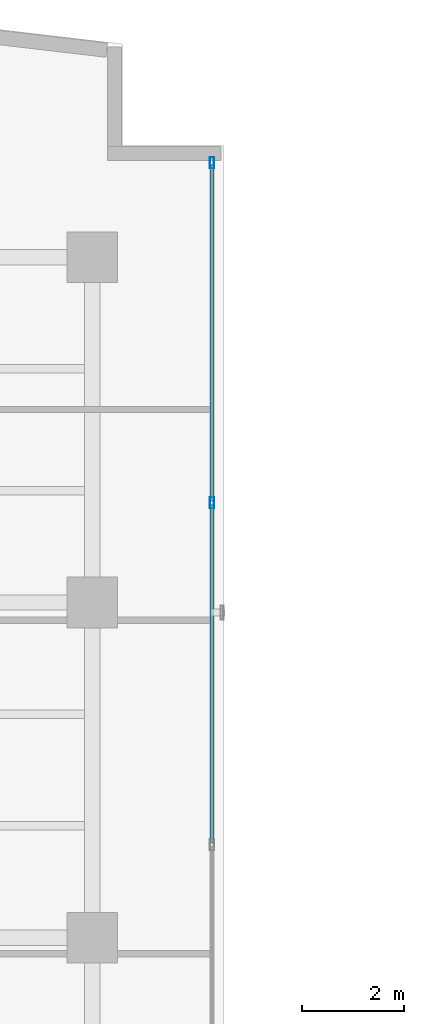
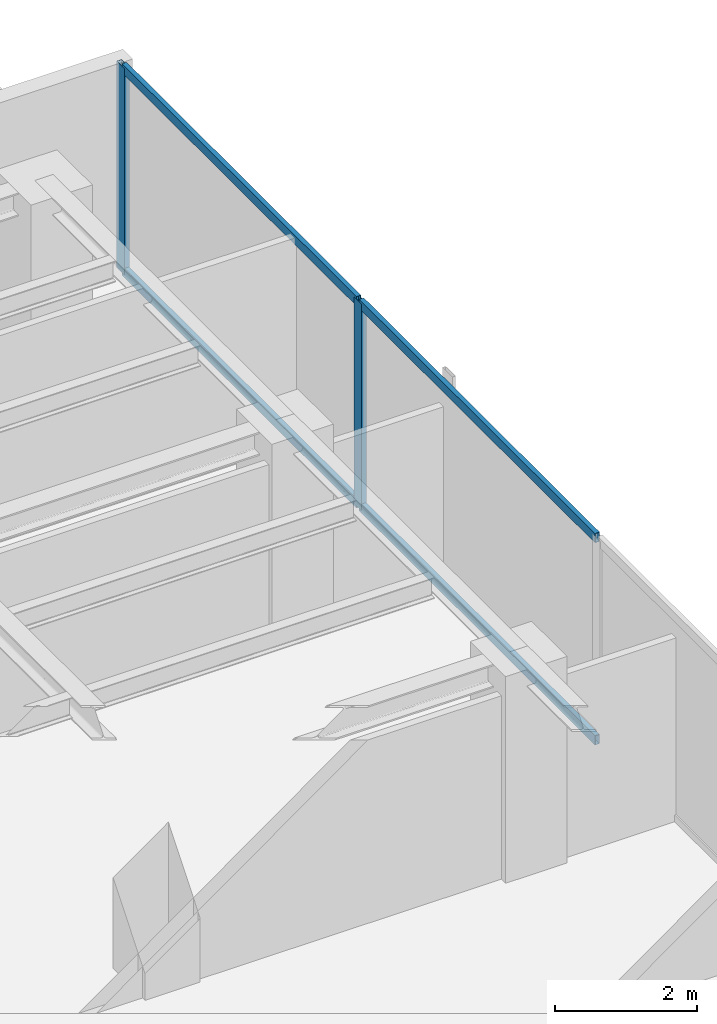
# One storey, part 15 of 23: 6 members, 1 element without a shape of its own.
"""IFC4 building model written with IfcOpenShell, lengths in metres."""

import ifcopenshell
import ifcopenshell.guid

model = None  # the IFC model being written
_history = None  # IfcOwnerHistory: only IFC2X3 demands one
_inside = {}  # id of a spatial element -> (the spatial element, [elements in it])
_under = {}  # id of a project, library or spatial element -> (it, [spatial elements below it])
_declared = {}  # id of a project -> (the project, [libraries it declares])
_typed = {}  # id of a type object -> (the type object, [elements of that type])
_made_of = {}  # id of a material, layer set ... -> (it, [elements and type objects made of it])


def new_model(schema):
    """Start an empty IFC model of exactly this schema.

    Asked for "IFC4X3", IfcOpenShell would pick the latest addendum, in which some entities
    have other attributes; the version numbers below select the first issue.
    IFC2X3 requires an IfcOwnerHistory on every rooted entity: one is made here for all.
    """
    global model, _history
    if schema == "IFC4X3":
        model = ifcopenshell.file(schema_version=(4, 3, 0, 0))
    else:
        model = ifcopenshell.file(schema=schema)
    _inside.clear()
    _under.clear()
    _declared.clear()
    _typed.clear()
    _made_of.clear()
    _history = None
    if model.schema == "IFC2X3":
        org = make("IfcOrganization", Name="unknown")
        user = make(
            "IfcPersonAndOrganization",
            ThePerson=make("IfcPerson", FamilyName="unknown"),
            TheOrganization=org,
        )
        app = make(
            "IfcApplication",
            ApplicationDeveloper=org,
            Version="unknown",
            ApplicationFullName="unknown",
            ApplicationIdentifier="unknown",
        )
        _history = make(
            "IfcOwnerHistory",
            OwningUser=user,
            OwningApplication=app,
            ChangeAction="ADDED",
            CreationDate=0,
        )
    return model


def make(cls, **values):
    """One entity of the class cls with the attributes given. An attribute that is None is left unset."""
    return model.create_entity(
        cls, **{name: value for name, value in values.items() if value is not None}
    )


def rooted(cls, **values):
    """An entity with a GlobalId (a new one), such as an element, a storey or a relation."""
    return make(cls, GlobalId=ifcopenshell.guid.new(), OwnerHistory=_history, **values)


def si_unit(unit_type, name, prefix=None):
    """IfcSIUnit, for example si_unit("LENGTHUNIT", "METRE", prefix="MILLI")."""
    return make("IfcSIUnit", UnitType=unit_type, Prefix=prefix, Name=name)


def assignment(units):
    """IfcUnitAssignment: the units of a project."""
    return None if units is None else make("IfcUnitAssignment", Units=units)


def point(xyz):
    """IfcCartesianPoint."""
    return None if xyz is None else make("IfcCartesianPoint", Coordinates=xyz)


def direction(xyz):
    """IfcDirection."""
    return None if xyz is None else make("IfcDirection", DirectionRatios=xyz)


def frame(location, z_axis=None, x_axis=None):
    """IfcAxis2Placement3D, a coordinate frame: its origin and axes. An axis left out is left unset."""
    return make(
        "IfcAxis2Placement3D",
        Location=point(location),
        Axis=direction(z_axis),
        RefDirection=direction(x_axis),
    )


def frame_2d(location, x_axis=None):
    """IfcAxis2Placement2D, a coordinate frame in the plane: its origin and x axis."""
    return make(
        "IfcAxis2Placement2D", Location=point(location), RefDirection=direction(x_axis)
    )


def origin():
    """The frame at (0, 0, 0) with its axes left unset."""
    return frame((0.0, 0.0, 0.0))


def origin_with_axes():
    """The frame at (0, 0, 0) with the z axis (0, 0, 1) and the x axis (1, 0, 0) written out."""
    return frame((0.0, 0.0, 0.0), z_axis=(0.0, 0.0, 1.0), x_axis=(1.0, 0.0, 0.0))


def origin_2d():
    """The frame at (0, 0) in the plane with its x axis left unset."""
    return frame_2d((0.0, 0.0))


def place(relative_to, where):
    """IfcLocalPlacement: puts the frame where relative to a parent placement (None: the world)."""
    return make(
        "IfcLocalPlacement", PlacementRelTo=relative_to, RelativePlacement=where
    )


def context(
    kind, dimensions, precision=None, world=None, true_north=None, identifier=None
):
    """IfcGeometricRepresentationContext, for example the 3D "Model" context."""
    return make(
        "IfcGeometricRepresentationContext",
        ContextIdentifier=identifier,
        ContextType=kind,
        CoordinateSpaceDimension=dimensions,
        Precision=precision,
        WorldCoordinateSystem=world,
        TrueNorth=true_north,
    )


def subcontext(parent, identifier, kind, view, scale=None):
    """IfcGeometricRepresentationSubContext, for example "Body" below "Model"."""
    return make(
        "IfcGeometricRepresentationSubContext",
        ContextIdentifier=identifier,
        ContextType=kind,
        ParentContext=parent,
        TargetScale=scale,
        TargetView=view,
    )


def project(units=None, contexts=None):
    """IfcProject with its units and contexts."""
    return rooted(
        "IfcProject",
        Name="project",
        RepresentationContexts=contexts,
        UnitsInContext=assignment(units),
    )


def spatial(cls, under=None, at=None, **own):
    """A site, building, storey or space (cls), placed at a placement, below another one or the project."""
    s = rooted(cls, ObjectPlacement=at, **own)
    if under is not None:
        _under.setdefault(under.id(), (under, []))[1].append(s)
    return s


def profile(cls, at=None, kind="AREA", **sizes):
    """A parametric profile (cls). Its sizes go by their IFC names, for example OverallWidth=200.0."""
    return make(cls, ProfileType=kind, Position=at, **sizes)


def hollow_rectangle(**sizes):
    """IfcRectangleHollowProfileDef."""
    return profile("IfcRectangleHollowProfileDef", **sizes)


def extrude(swept, where, along, depth):
    """IfcExtrudedAreaSolid: the profile swept, set in the frame where, extruded along a direction by depth."""
    return make(
        "IfcExtrudedAreaSolid",
        SweptArea=swept,
        Position=where,
        ExtrudedDirection=direction(along),
        Depth=depth,
    )


def shape(context_of_items, identifier, shape_type, items):
    """IfcShapeRepresentation: the items that make up one representation, for example the "Body"."""
    return make(
        "IfcShapeRepresentation",
        ContextOfItems=context_of_items,
        RepresentationIdentifier=identifier,
        RepresentationType=shape_type,
        Items=items,
    )


def source(mapping_origin, context_of_items, identifier, shape_type, items):
    """IfcRepresentationMap: a shape defined once, which mapped items show again and again."""
    return make(
        "IfcRepresentationMap",
        MappingOrigin=mapping_origin,
        MappedRepresentation=shape(context_of_items, identifier, shape_type, items),
    )


def transform(
    local_origin,
    x_axis=None,
    y_axis=None,
    z_axis=None,
    scale=None,
    scale2=None,
    scale3=None,
    uniform=True,
):
    """IfcCartesianTransformationOperator3D, or its non-uniform kind. x_axis, y_axis, z_axis: its Axis1, 2, 3."""
    if uniform:
        return make(
            "IfcCartesianTransformationOperator3D",
            Axis1=direction(x_axis),
            Axis2=direction(y_axis),
            LocalOrigin=point(local_origin),
            Scale=scale,
            Axis3=direction(z_axis),
        )
    return make(
        "IfcCartesianTransformationOperator3DnonUniform",
        Axis1=direction(x_axis),
        Axis2=direction(y_axis),
        LocalOrigin=point(local_origin),
        Scale=scale,
        Axis3=direction(z_axis),
        Scale2=scale2,
        Scale3=scale3,
    )


def mapped(mapping_source, mapping_target):
    """IfcMappedItem: shows the shape of a source again, moved by a transform."""
    return make(
        "IfcMappedItem", MappingSource=mapping_source, MappingTarget=mapping_target
    )


def material(Name=None, Category=None):
    """IfcMaterial."""
    return make("IfcMaterial", Name=Name, Category=Category)


def layer(
    of_material, thickness, ventilated=None, Name=None, Category=None, Priority=None
):
    """IfcMaterialLayer: one layer of a wall or slab, of a material (None: an air gap)."""
    return make(
        "IfcMaterialLayer",
        Material=of_material,
        LayerThickness=thickness,
        IsVentilated=ventilated,
        Name=Name,
        Category=Category,
        Priority=Priority,
    )


def layer_set(layers, Name=None):
    """IfcMaterialLayerSet."""
    return make("IfcMaterialLayerSet", MaterialLayers=layers, LayerSetName=Name)


def material_profile(
    of_material, cross_section, Name=None, Category=None, Priority=None
):
    """IfcMaterialProfile: a cross section and its material."""
    return make(
        "IfcMaterialProfile",
        Name=Name,
        Material=of_material,
        Profile=cross_section,
        Priority=Priority,
        Category=Category,
    )


def profile_set(profiles, Name=None, composite=None):
    """IfcMaterialProfileSet."""
    return make(
        "IfcMaterialProfileSet",
        Name=Name,
        MaterialProfiles=profiles,
        CompositeProfile=composite,
    )


def made_of(thing, what):
    """Note that an element or type object is made of a material, layer set ...; save() writes the relation."""
    if what is not None:
        _made_of.setdefault(what.id(), (what, []))[1].append(thing)
    return thing


def type_object(cls, material=None, **own):
    """A type object (cls), such as IfcWallType, which elements share."""
    return made_of(rooted(cls, **own), material)


def element(
    cls,
    number,
    at=None,
    inside=None,
    cuts=None,
    type_object=None,
    material=None,
    context=None,
    identifier="Body",
    shape_type=None,
    held_by="IfcProductDefinitionShape",
    body=None,
    shapes=None,
    **own,
):
    """One element of the class cls, such as IfcWall. Its Tag is "e" and its number.

    at: its placement. inside: the storey or other place that contains it. cuts: it is an
    opening in that element (IfcRelVoidsElement). A single representation is given by context,
    identifier, shape_type and body (its items); several are given by shapes. held_by: the class
    of the entity that holds the representations. save() writes the other relations.
    """
    e = rooted(cls, Tag="e%d" % number, ObjectPlacement=at, **own)
    if body is not None:
        shapes = [shape(context, identifier, shape_type, body)]
    if shapes is not None:
        e.Representation = make(held_by, Representations=shapes)
    if inside is not None:
        _inside.setdefault(inside.id(), (inside, []))[1].append(e)
    if cuts is not None:
        rooted(
            "IfcRelVoidsElement", RelatingBuildingElement=cuts, RelatedOpeningElement=e
        )
    if type_object is not None:
        _typed.setdefault(type_object.id(), (type_object, []))[1].append(e)
    return made_of(e, material)


def aggregate(whole, parts):
    """IfcRelAggregates: a whole, such as a stair, and the parts it consists of."""
    return rooted("IfcRelAggregates", RelatingObject=whole, RelatedObjects=parts)


def save(model, path):
    """Write the relations noted so far, then the file.

    IfcRelAggregates (storeys below a building ...), IfcRelContainedInSpatialStructure (elements
    in a storey), IfcRelDefinesByType, IfcRelAssociatesMaterial and IfcRelDeclares: one each for
    every whole, place, type object, material and project.
    """
    for whole, parts in _under.values():
        aggregate(whole, parts)
    for where, things in _inside.values():
        rooted(
            "IfcRelContainedInSpatialStructure",
            RelatedElements=things,
            RelatingStructure=where,
        )
    for kind, things in _typed.values():
        rooted("IfcRelDefinesByType", RelatedObjects=things, RelatingType=kind)
    for what, things in _made_of.values():
        rooted("IfcRelAssociatesMaterial", RelatedObjects=things, RelatingMaterial=what)
    for by, libraries in _declared.values():
        rooted("IfcRelDeclares", RelatingContext=by, RelatedDefinitions=libraries)
    model.write(path)


model = new_model("IFC4")

# Units and contexts
model_context = context("Model", 3, precision=1e-05, world=origin(), true_north=direction((0.0, 1.0)))
body_context = subcontext(model_context, "Body", "Model", "MODEL_VIEW")
ifc_project = project(units=[si_unit("LENGTHUNIT", "METRE"), si_unit("AREAUNIT", "SQUARE_METRE"), si_unit("VOLUMEUNIT", "CUBIC_METRE"), si_unit("PLANEANGLEUNIT", "RADIAN"), si_unit("MASSUNIT", "GRAM", prefix="KILO")], contexts=[model_context])

# Site, building, storey
site_placement = place(None, origin())
site = spatial("IfcSite", under=ifc_project, at=site_placement, CompositionType="ELEMENT")
building_placement = place(site_placement, origin())
building = spatial("IfcBuilding", under=site, at=building_placement, Name="Kolvaren Waterfront Exchange", CompositionType="ELEMENT")
storey_placement = place(building_placement, frame((0.0, 0.0, 234.89990234375)))
storey = spatial("IfcBuildingStorey", under=building, at=storey_placement, Name="L60", CompositionType="ELEMENT", Elevation=234.89990234375)

# Curtain wall, members
ifc_material_1 = material(Name="Anodised bronze aluminium 6063-T6", Category="aluminium")
ifc_layer = layer(ifc_material_1, 0.219970703125, Name="Anodised bronze aluminium 6063-T6")
ifc_layer_set = layer_set([ifc_layer], Name="Anodised bronze aluminium 6063-T6")
curtain_wall_type = type_object("IfcCurtainWallType", Name="ARC-CW-SYS1", PredefinedType="USERDEFINED", material=ifc_layer_set)
curtain_wall_placement = place(storey_placement, origin())
curtain_wall = element("IfcCurtainWall", 1, at=curtain_wall_placement, inside=storey, type_object=curtain_wall_type, Name="L60 stick curtain wall CW1 (CW-L60-NE)", ObjectType="STICK CURTAIN WALL", PredefinedType="USERDEFINED")
ifc_material_2 = material(Name="Anodised aluminium 6063-T6", Category="aluminium")
ifc_material_profile_1 = material_profile(ifc_material_2, hollow_rectangle(XDim=0.080078125, YDim=0.219970703125, WallThickness=0.0048828125, at=origin_2d()), Name="ALU-MUL-220x80x5")
ifc_profile_set_1 = profile_set([ifc_material_profile_1], Name="Anodised aluminium 6063-T6")
member_type_1 = type_object("IfcMemberType", Name="ARC-CWM-220", PredefinedType="MULLION", material=ifc_profile_set_1)
shared_shape_1 = source(origin_with_axes(), body_context, "Body", "SweptSolid", [
    extrude(hollow_rectangle(XDim=0.080078125, YDim=0.219970703125, WallThickness=0.0048828125, at=origin_2d()), origin(), (0.0, 0.0, 1.0), 3.56005859375),
])
member_1_placement = place(storey_placement, frame((21.159912109375, 39.763427734375, 0.0), z_axis=(0.0, 0.0, 1.0), x_axis=(-1.0, 0.0, 0.0)))
member_1 = element("IfcMember", 2, at=member_1_placement, type_object=member_type_1, Name="CW1 mullion 3", PredefinedType="MULLION", context=body_context, shape_type="MappedRepresentation", body=[
    mapped(shared_shape_1, transform((0.0, 0.0, 0.0), x_axis=(1.0, 0.0, 0.0), y_axis=(0.0, 1.0, 0.0), z_axis=(0.0, 0.0, 1.0), scale=1.0)),
])
member_2_placement = place(storey_placement, frame((21.159912109375, 46.4599609375, 0.0), z_axis=(0.0, 0.0, 1.0), x_axis=(-1.0, 0.0, 0.0)))
member_2 = element("IfcMember", 3, at=member_2_placement, type_object=member_type_1, Name="CW1 mullion 4", PredefinedType="MULLION", context=body_context, shape_type="MappedRepresentation", body=[
    mapped(shared_shape_1, transform((0.0, 0.0, 0.0), x_axis=(1.0, 0.0, 0.0), y_axis=(0.0, 1.0, 0.0), z_axis=(0.0, 0.0, 1.0), scale=1.0)),
])
ifc_material_profile_2 = material_profile(ifc_material_2, hollow_rectangle(XDim=0.074951171875, YDim=0.159912109375, WallThickness=0.00439453125, at=origin_2d()), Name="ALU-TRN-160x75x4.5")
ifc_profile_set_2 = profile_set([ifc_material_profile_2], Name="Anodised aluminium 6063-T6")
member_type_2 = type_object("IfcMemberType", Name="ARC-CWT-160", PredefinedType="USERDEFINED", material=ifc_profile_set_2)
shared_shape_2 = source(origin_with_axes(), body_context, "Body", "SweptSolid", [
    extrude(hollow_rectangle(XDim=0.074951171875, YDim=0.159912109375, WallThickness=0.00439453125, at=origin_2d()), origin(), (0.0, 0.0, 1.0), 6.65673828125),
])
member_3_placement = place(storey_placement, frame((21.159912109375, 33.066650390625, 0.03759765625), z_axis=(0.0, 1.0, 0.0), x_axis=(-1.0, 0.0, 0.0)))
member_3 = element("IfcMember", 4, at=member_3_placement, type_object=member_type_2, Name="CW1 transom 2.1", ObjectType="TRANSOM", PredefinedType="USERDEFINED", context=body_context, shape_type="MappedRepresentation", body=[
    mapped(shared_shape_2, transform((0.0, 0.0, 0.0), x_axis=(1.0, 0.0, 0.0), y_axis=(0.0, 1.0, 0.0), z_axis=(0.0, 0.0, 1.0), scale=1.0)),
])
member_4_placement = place(storey_placement, frame((21.159912109375, 33.066650390625, 3.522705078125), z_axis=(0.0, 1.0, 0.0), x_axis=(-1.0, 0.0, 0.0)))
member_4 = element("IfcMember", 5, at=member_4_placement, type_object=member_type_2, Name="CW1 transom 2.2", ObjectType="TRANSOM", PredefinedType="USERDEFINED", context=body_context, shape_type="MappedRepresentation", body=[
    mapped(shared_shape_2, transform((0.0, 0.0, 0.0), x_axis=(1.0, 0.0, 0.0), y_axis=(0.0, 1.0, 0.0), z_axis=(0.0, 0.0, 1.0), scale=1.0)),
])
shared_shape_3 = source(origin_with_axes(), body_context, "Body", "SweptSolid", [
    extrude(hollow_rectangle(XDim=0.074951171875, YDim=0.159912109375, WallThickness=0.00439453125, at=origin_2d()), origin(), (0.0, 0.0, 1.0), 6.61669921875),
])
member_5_placement = place(storey_placement, frame((21.159912109375, 39.80322265625, 0.03759765625), z_axis=(0.0, 1.0, 0.0), x_axis=(-1.0, 0.0, 0.0)))
member_5 = element("IfcMember", 6, at=member_5_placement, type_object=member_type_2, Name="CW1 transom 3.1", ObjectType="TRANSOM", PredefinedType="USERDEFINED", context=body_context, shape_type="MappedRepresentation", body=[
    mapped(shared_shape_3, transform((0.0, 0.0, 0.0), x_axis=(1.0, 0.0, 0.0), y_axis=(0.0, 1.0, 0.0), z_axis=(0.0, 0.0, 1.0), scale=1.0)),
])
member_6_placement = place(storey_placement, frame((21.159912109375, 39.80322265625, 3.522705078125), z_axis=(0.0, 1.0, 0.0), x_axis=(-1.0, 0.0, 0.0)))
member_6 = element("IfcMember", 7, at=member_6_placement, type_object=member_type_2, Name="CW1 transom 3.2", ObjectType="TRANSOM", PredefinedType="USERDEFINED", context=body_context, shape_type="MappedRepresentation", body=[
    mapped(shared_shape_3, transform((0.0, 0.0, 0.0), x_axis=(1.0, 0.0, 0.0), y_axis=(0.0, 1.0, 0.0), z_axis=(0.0, 0.0, 1.0), scale=1.0)),
])
aggregate(curtain_wall, [member_1, member_2, member_3, member_4, member_5, member_6])

save(model, "model.ifc")
